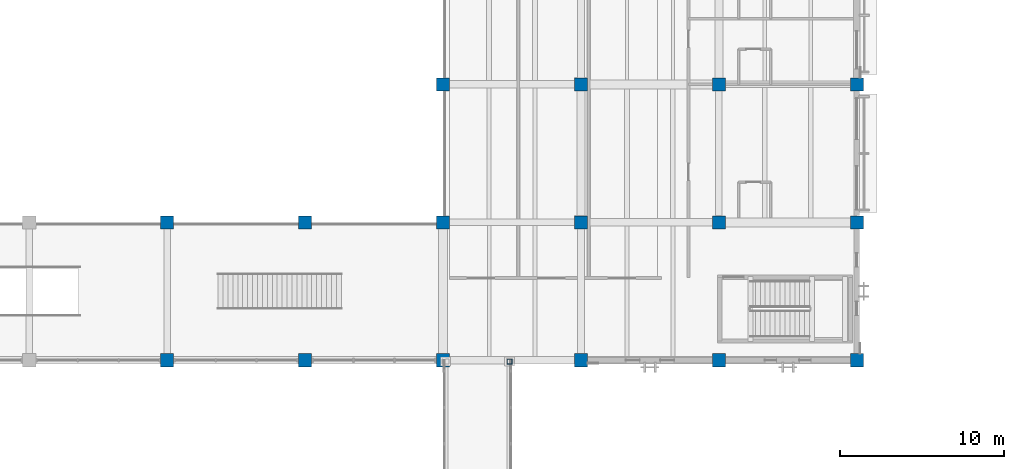
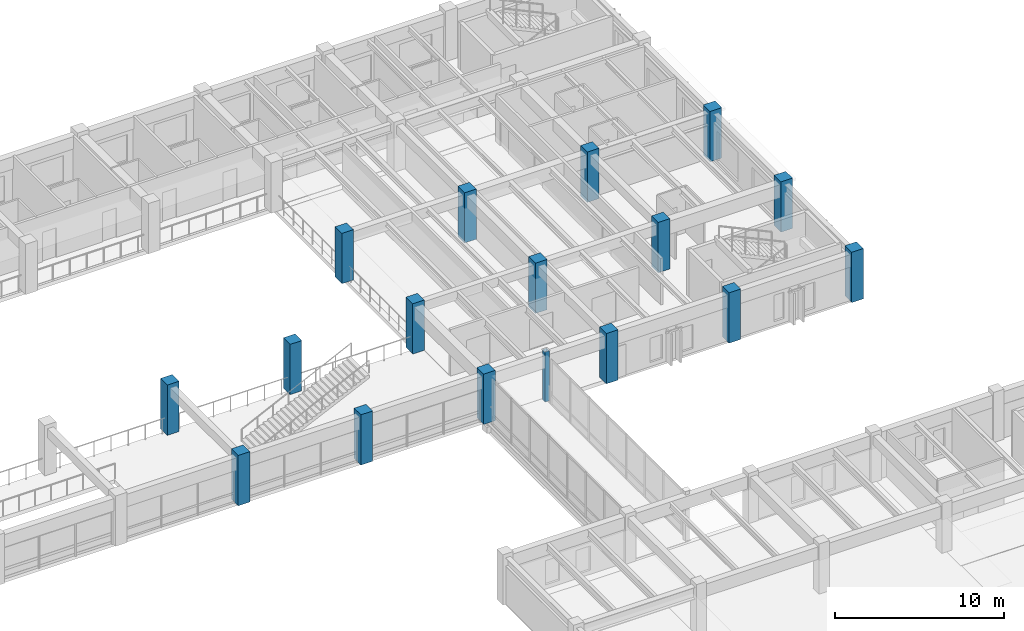
# One storey, part 11 of 118: 17 columns.
"""IFC4 building model written with IfcOpenShell, lengths in metres."""

from ifc_helpers import new_model, si_unit, direction, frame, origin, origin_2d, place, context, subcontext, project, spatial, rectangle, hollow_rectangle, extrude, material, material_profile, profile_set, type_object, element, save


model = new_model("IFC4")

# Units and contexts
model_context = context("Model", 3, precision=1e-05, world=origin(), true_north=direction((0.0, 1.0)))
body_context = subcontext(model_context, "Body", "Model", "MODEL_VIEW")
ifc_project = project(units=[si_unit("LENGTHUNIT", "METRE"), si_unit("AREAUNIT", "SQUARE_METRE"), si_unit("VOLUMEUNIT", "CUBIC_METRE"), si_unit("PLANEANGLEUNIT", "RADIAN"), si_unit("MASSUNIT", "GRAM", prefix="KILO")], contexts=[model_context])

# Site, building, storey
site_placement = place(None, origin())
site = spatial("IfcSite", under=ifc_project, at=site_placement, CompositionType="ELEMENT")
building_placement = place(site_placement, origin())
building = spatial("IfcBuilding", under=site, at=building_placement, Name="Cumbredor Promenade Congress Hotel", CompositionType="ELEMENT")
storey_placement = place(building_placement, frame((0.0, 0.0, 3.919921875)))
storey = spatial("IfcBuildingStorey", under=building, at=storey_placement, Name="L01", CompositionType="ELEMENT", Elevation=3.919921875)

# Columns
ifc_material_1 = material(Name="Concrete C50/60", Category="concrete")
ifc_material_profile_1 = material_profile(ifc_material_1, rectangle(XDim=0.800048828125, YDim=0.800048828125, at=origin_2d()), Name="RC 800x800")
ifc_profile_set_1 = profile_set([ifc_material_profile_1], Name="Concrete C50/60")
column_type_1 = type_object("IfcColumnType", Name="COL-RC-800", PredefinedType="COLUMN", material=ifc_profile_set_1)
for number, where, z_axis, x_axis, name in (
    (1, (134.39990234375, 84.0, 0.0), (0.0, 0.0, 1.0), (1.0, 0.0, 0.0), "L01 Structural Column 149"),
    (2, (134.39990234375, 92.39990234375, 0.0), (0.0, 0.0, 1.0), (1.0, 0.0, 0.0), "L01 Structural Column 150"),
    (3, (142.800048828125, 84.0, 0.0), (0.0, 0.0, 1.0), (1.0, 0.0, 0.0), "L01 Structural Column 161"),
    (4, (142.800048828125, 92.39990234375, 0.0), (0.0, 0.0, 1.0), (1.0, 0.0, 0.0), "L01 Structural Column 162"),
    (5, (151.199951171875, 84.0, 0.0), (0.0, 0.0, 1.0), (1.0, 0.0, 0.0), "L01 Structural Column 169"),
    (6, (151.199951171875, 92.39990234375, 0.0), (0.0, 0.0, 1.0), (1.0, 0.0, 0.0), "L01 Structural Column 170"),
    (7, (151.199951171875, 100.800048828125, 0.0), (0.0, 0.0, 1.0), (1.0, 0.0, 0.0), "L01 Structural Column 171"),
    (8, (159.60009765625, 84.0, 0.0), (0.0, 0.0, 1.0), (1.0, 0.0, 0.0), "L01 Structural Column 178"),
    (9, (159.60009765625, 92.39990234375, 0.0), (0.0, 0.0, 1.0), (1.0, 0.0, 0.0), "L01 Structural Column 179"),
    (10, (159.60009765625, 100.800048828125, 0.0), (0.0, 0.0, 1.0), (1.0, 0.0, 0.0), "L01 Structural Column 180"),
    (11, (168.0, 84.0, 0.0), (0.0, 0.0, 1.0), (1.0, 0.0, 0.0), "L01 Structural Column 187"),
    (12, (168.0, 92.39990234375, 0.0), (0.0, 0.0, 1.0), (1.0, 0.0, 0.0), "L01 Structural Column 188"),
    (13, (168.0, 100.800048828125, 0.0), (0.0, 0.0, 1.0), (1.0, 0.0, 0.0), "L01 Structural Column 189"),
    (14, (176.39990234375, 84.0, 0.0), (0.0, 0.0, 1.0), (1.0, 0.0, 0.0), "L01 Structural Column 196"),
    (15, (176.39990234375, 92.39990234375, 0.0), (0.0, 0.0, 1.0), (1.0, 0.0, 0.0), "L01 Structural Column 197"),
    (16, (176.39990234375, 100.800048828125, 0.0), (0.0, 0.0, 1.0), (1.0, 0.0, 0.0), "L01 Structural Column 198"),
):
    element("IfcColumn", number, at=place(storey_placement, frame(where, z_axis=z_axis, x_axis=x_axis)), inside=storey, type_object=column_type_1, Name=name, PredefinedType="COLUMN", context=body_context, shape_type="SweptSolid", body=[
        extrude(rectangle(XDim=0.800048828125, YDim=0.800048828125, at=origin_2d()), origin(), (0.0, 0.0, 1.0), 3.64013671875),
    ])
ifc_material_2 = material(Name="Steel ASTM A500 Grade C", Category="steel")
ifc_material_profile_2 = material_profile(ifc_material_2, hollow_rectangle(XDim=0.300048828125, YDim=0.300048828125, WallThickness=0.01611328125, at=origin_2d()), Name="HSS 300x300x16")
ifc_profile_set_2 = profile_set([ifc_material_profile_2], Name="Steel ASTM A500 Grade C")
column_type_2 = type_object("IfcColumnType", Name="COL-STL-HSS300", PredefinedType="COLUMN", material=ifc_profile_set_2)
column_placement = place(storey_placement, frame((155.25, 83.919921875, 0.0), z_axis=(0.0, 0.0, 1.0), x_axis=(1.0, 0.0, 0.0)))
element("IfcColumn", 17, at=column_placement, inside=storey, type_object=column_type_2, Name="L01 East Ballroom-to-Forum Glazed Bridge Support Column 4", PredefinedType="COLUMN", context=body_context, shape_type="SweptSolid", body=[
    extrude(hollow_rectangle(XDim=0.300048828125, YDim=0.300048828125, WallThickness=0.01611328125, at=origin_2d()), origin(), (0.0, 0.0, 1.0), 3.64013671875),
])

save(model, "model.ifc")
